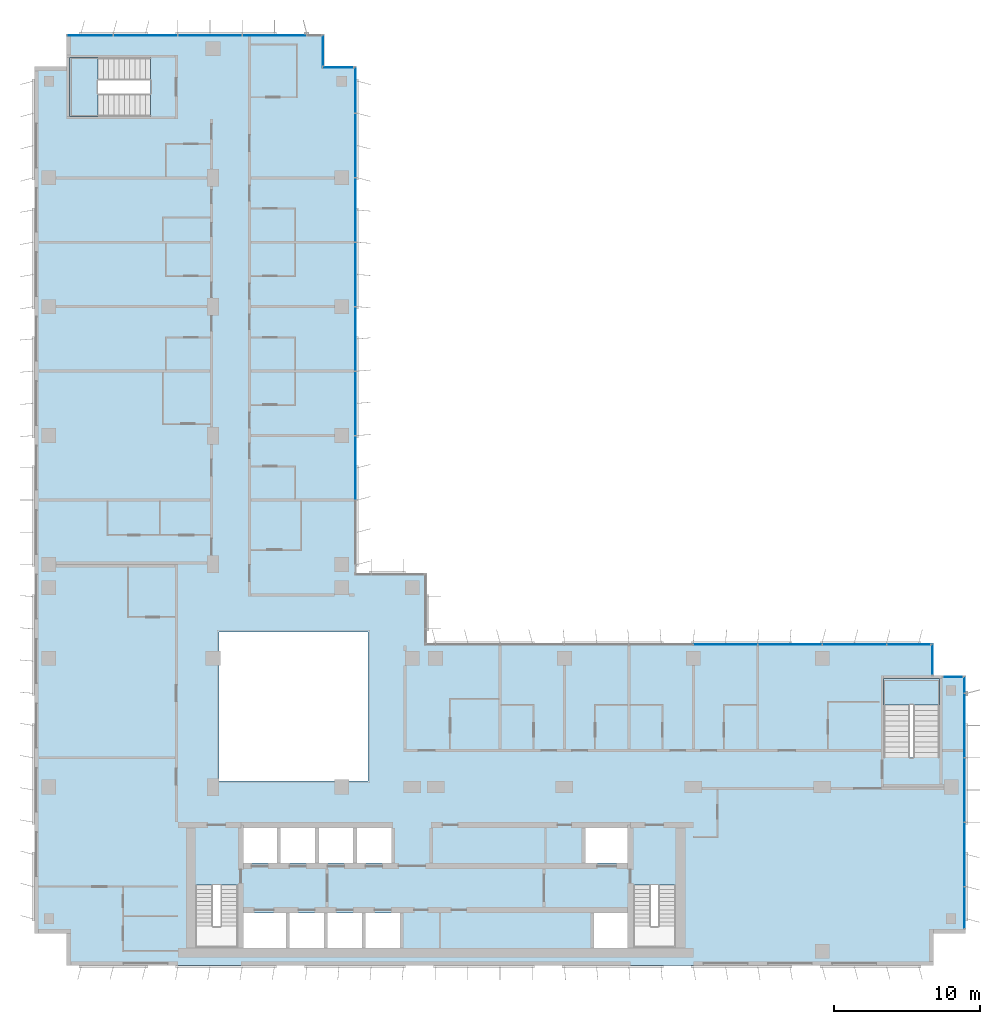
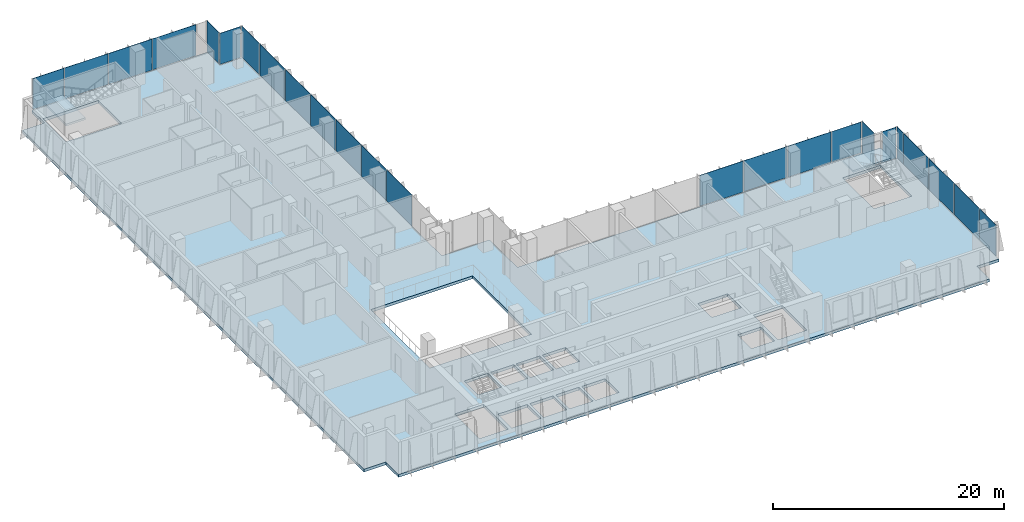
# One storey, part 11 of 21: 24 plates, 3 slabs, 10 elements without a shape of their own.
"""IFC4 building model written with IfcOpenShell, lengths in metres."""

from ifc_helpers import new_model, si_unit, direction, frame, origin, origin_2d, place, context, subcontext, project, spatial, polyline, rectangle, outline, extrude, source, transform, mapped, material, layer, layer_set, type_object, element, aggregate, save


model = new_model("IFC4")

# Units and contexts
model_context = context("Model", 3, precision=1e-05, world=origin(), true_north=direction((0.0, 1.0)))
body_context = subcontext(model_context, "Body", "Model", "MODEL_VIEW")
ifc_project = project(units=[si_unit("LENGTHUNIT", "METRE"), si_unit("AREAUNIT", "SQUARE_METRE"), si_unit("VOLUMEUNIT", "CUBIC_METRE"), si_unit("PLANEANGLEUNIT", "RADIAN"), si_unit("MASSUNIT", "GRAM", prefix="KILO")], contexts=[model_context])

# Site, building, storey
site_placement = place(None, origin())
site = spatial("IfcSite", under=ifc_project, at=site_placement, CompositionType="ELEMENT")
building_placement = place(site_placement, origin())
building = spatial("IfcBuilding", under=site, at=building_placement, Name="Kemantara Hotel Tower", CompositionType="ELEMENT")
storey_placement = place(building_placement, frame((0.0, 0.0, 182.699951171875)))
storey = spatial("IfcBuildingStorey", under=building, at=storey_placement, Name="L45", CompositionType="ELEMENT", Elevation=182.699951171875)

# Slab
ifc_material_1 = material(Name="Concrete fc 40 MPa", Category="concrete")
ifc_layer_1 = layer(ifc_material_1, 0.300048828125)
ifc_layer_set_1 = layer_set([ifc_layer_1], Name="Concrete fc 40 MPa")
slab_type_1 = type_object("IfcSlabType", Name="POST-TENSIONED FLAT PLATE 300", PredefinedType="FLOOR", material=ifc_layer_set_1)
slab_1_placement = place(storey_placement, frame((0.0, 0.0, -0.300048828125)))
element("IfcSlab", 1, at=slab_1_placement, inside=storey, type_object=slab_type_1, Name="FLOOR SLAB L45", PredefinedType="FLOOR", context=body_context, shape_type="SweptSolid", body=[
    extrude(outline(polyline([(22.0, 26.800048828125), (22.0, 61.39990234375), (19.800048828125, 61.39990234375), (19.800048828125, 63.60009765625), (2.199951171875, 63.60009765625), (2.199951171875, 61.39990234375), (0.0, 61.39990234375), (0.0, 2.199951171875), (2.199951171875, 2.199951171875), (2.199951171875, 0.0), (61.39990234375, 0.0), (61.39990234375, 2.199951171875), (63.60009765625, 2.199951171875), (63.60009765625, 19.800048828125), (61.39990234375, 19.800048828125), (61.39990234375, 22.0), (26.800048828125, 22.0), (26.800048828125, 26.800048828125), (22.0, 26.800048828125)]), holes=[polyline([(17.175048828125, 3.60009765625), (17.175048828125, 1.199951171875), (14.22509765625, 1.199951171875), (14.22509765625, 3.60009765625), (17.175048828125, 3.60009765625)]), polyline([(19.77490234375, 1.199951171875), (17.425048828125, 1.199951171875), (17.425048828125, 3.60009765625), (19.77490234375, 3.60009765625), (19.77490234375, 1.199951171875)]), polyline([(11.0, 1.199951171875), (11.0, 5.49951171875), (13.89990234375, 5.49951171875), (13.89990234375, 1.199951171875), (11.0, 1.199951171875)]), polyline([(16.574951171875, 7.0), (14.22509765625, 7.0), (14.22509765625, 9.39990234375), (16.574951171875, 9.39990234375), (16.574951171875, 7.0)]), polyline([(19.175048828125, 7.0), (16.824951171875, 7.0), (16.824951171875, 9.39990234375), (19.175048828125, 9.39990234375), (19.175048828125, 7.0)]), polyline([(21.77490234375, 7.0), (19.425048828125, 7.0), (19.425048828125, 9.39990234375), (21.77490234375, 9.39990234375), (21.77490234375, 7.0)]), polyline([(22.800048828125, 12.60009765625), (12.60009765625, 12.60009765625), (12.60009765625, 22.800048828125), (22.800048828125, 22.800048828125), (22.800048828125, 12.60009765625)]), polyline([(2.39990234375, 62.0), (7.949462890625, 62.0), (7.949462890625, 58.0), (2.39990234375, 58.0), (2.39990234375, 62.0)]), polyline([(22.375, 1.199951171875), (20.02490234375, 1.199951171875), (20.02490234375, 3.60009765625), (22.375, 3.60009765625), (22.375, 1.199951171875)]), polyline([(24.97509765625, 1.199951171875), (22.625, 1.199951171875), (22.625, 3.60009765625), (24.97509765625, 3.60009765625), (24.97509765625, 1.199951171875)]), polyline([(40.574951171875, 1.199951171875), (38.22509765625, 1.199951171875), (38.22509765625, 3.60009765625), (40.574951171875, 3.60009765625), (40.574951171875, 1.199951171875)]), polyline([(40.89990234375, 1.199951171875), (40.89990234375, 5.49951171875), (43.800048828125, 5.49951171875), (43.800048828125, 1.199951171875), (40.89990234375, 1.199951171875)]), polyline([(24.375, 7.0), (22.02490234375, 7.0), (22.02490234375, 9.39990234375), (24.375, 9.39990234375), (24.375, 7.0)]), polyline([(40.574951171875, 7.0), (37.625, 7.0), (37.625, 9.39990234375), (40.574951171875, 9.39990234375), (40.574951171875, 7.0)]), polyline([(61.800048828125, 19.60009765625), (61.800048828125, 14.20068359375), (58.0, 14.20068359375), (58.0, 19.60009765625), (61.800048828125, 19.60009765625)])]), origin(), (0.0, 0.0, 1.0), 0.300048828125),
])

# Stair, slab
stair_type_1 = type_object("IfcStairType", Name="Stair 1800 wide 22 risers of 168 x 360 mm", PredefinedType="HALF_TURN_STAIR", material=ifc_material_1)
stair_1_placement = place(storey_placement, origin())
stair_1 = element("IfcStair", 2, at=stair_1_placement, inside=storey, type_object=stair_type_1, Name="L45 Exit stair ST3", PredefinedType="HALF_TURN_STAIR")
ifc_layer_2 = layer(ifc_material_1, 0.199951171875)
ifc_layer_set_2 = layer_set([ifc_layer_2], Name="Concrete fc 40 MPa")
slab_type_2 = type_object("IfcSlabType", Name="Stair landing 200 mm", PredefinedType="LANDING", material=ifc_layer_set_2)
slab_2_placement = place(storey_placement, frame((0.0, 0.0, 1.650146484375)))
slab_2 = element("IfcSlab", 3, at=slab_2_placement, type_object=slab_type_2, Name="ST3 landing 1", PredefinedType="LANDING", context=body_context, shape_type="SweptSolid", body=[
    extrude(outline(polyline([(61.800048828125, 17.800048828125), (61.800048828125, 19.60009765625), (58.0, 19.60009765625), (58.0, 17.800048828125), (61.800048828125, 17.800048828125)])), origin(), (0.0, 0.0, 1.0), 0.199951171875),
])
aggregate(stair_1, [slab_2])

stair_type_2 = type_object("IfcStairType", Name="Stair 1550 wide 22 risers of 168 x 360 mm", PredefinedType="HALF_TURN_STAIR", material=ifc_material_1)
stair_2_placement = place(storey_placement, origin())
stair_2 = element("IfcStair", 4, at=stair_2_placement, inside=storey, type_object=stair_type_2, Name="L45 Exit stair ST4", PredefinedType="HALF_TURN_STAIR")
slab_3_placement = place(storey_placement, frame((0.0, 0.0, 1.650146484375)))
slab_3 = element("IfcSlab", 5, at=slab_3_placement, type_object=slab_type_2, Name="ST4 landing 1", PredefinedType="LANDING", context=body_context, shape_type="SweptSolid", body=[
    extrude(outline(polyline([(4.35009765625, 62.0), (2.39990234375, 62.0), (2.39990234375, 58.0), (4.35009765625, 58.0), (4.35009765625, 62.0)])), origin(), (0.0, 0.0, 1.0), 0.199951171875),
])
aggregate(stair_2, [slab_3])

# Curtain wall, plate
ifc_material_2 = material(Name="Low-E tinted double insulated glass 36 mm", Category="glass")
curtain_wall_type = type_object("IfcCurtainWallType", Name="TOWER CURTAIN WALL, FRONT FACES", PredefinedType="USERDEFINED", material=ifc_material_2)
curtain_wall_1_placement = place(storey_placement, origin())
curtain_wall_1 = element("IfcCurtainWall", 6, at=curtain_wall_1_placement, inside=storey, type_object=curtain_wall_type, Name="CW4 L45 T3-R11-1", ObjectType="TOWER CURTAIN WALL, FRONT FACES", PredefinedType="USERDEFINED")
ifc_layer_3 = layer(ifc_material_2, 0.035888671875)
ifc_layer_set_3 = layer_set([ifc_layer_3], Name="Low-E tinted double insulated glass 36 mm")
plate_type = type_object("IfcPlateType", Name="TOWER CURTAIN WALL, FRONT FACES PANEL", PredefinedType="CURTAIN_PANEL", material=ifc_layer_set_3)
shared_shape_1 = source(origin(), body_context, "Body", "SweptSolid", [
    extrude(rectangle(XDim=2.81005859375, YDim=0.035888671875, at=origin_2d()), origin(), (0.0, 0.0, 1.0), 3.280029296875),
])
plate_1_placement = place(storey_placement, frame((63.52490234375, 3.965087890625, 0.1201171875), z_axis=(0.0, 0.0, 1.0), x_axis=(0.0, 1.0, 0.0)))
plate_1 = element("IfcPlate", 7, at=plate_1_placement, type_object=plate_type, Name="CW4 glass panel T3-R11-1.1", PredefinedType="CURTAIN_PANEL", context=body_context, shape_type="MappedRepresentation", body=[
    mapped(shared_shape_1, transform((0.0, 0.0, 0.0))),
])

# Curtain wall, plates
curtain_wall_2_placement = place(storey_placement, origin())
curtain_wall_2 = element("IfcCurtainWall", 8, at=curtain_wall_2_placement, inside=storey, type_object=curtain_wall_type, Name="CW4 L45 T3-R02-1", ObjectType="TOWER CURTAIN WALL, FRONT FACES", PredefinedType="USERDEFINED")
shared_shape_2 = source(origin(), body_context, "Body", "SweptSolid", [
    extrude(rectangle(XDim=4.340087890625, YDim=0.035888671875, at=origin_2d()), origin(), (0.0, 0.0, 1.0), 3.280029296875),
])
plate_2_placement = place(storey_placement, frame((16.39990234375, 63.52490234375, 0.1201171875), z_axis=(0.0, 0.0, 1.0), x_axis=(-1.0, 0.0, 0.0)))
plate_2 = element("IfcPlate", 9, at=plate_2_placement, type_object=plate_type, Name="CW4 glass panel T3-R02-1.2", PredefinedType="CURTAIN_PANEL", context=body_context, shape_type="MappedRepresentation", body=[
    mapped(shared_shape_2, transform((0.0, 0.0, 0.0))),
])
plate_3_placement = place(storey_placement, frame((12.0, 63.52490234375, 0.1201171875), z_axis=(0.0, 0.0, 1.0), x_axis=(-1.0, 0.0, 0.0)))
plate_3 = element("IfcPlate", 10, at=plate_3_placement, type_object=plate_type, Name="CW4 glass panel T3-R02-1.3", PredefinedType="CURTAIN_PANEL", context=body_context, shape_type="MappedRepresentation", body=[
    mapped(shared_shape_2, transform((0.0, 0.0, 0.0))),
])
plate_4_placement = place(storey_placement, frame((7.60009765625, 63.52490234375, 0.1201171875), z_axis=(0.0, 0.0, 1.0), x_axis=(-1.0, 0.0, 0.0)))
plate_4 = element("IfcPlate", 11, at=plate_4_placement, type_object=plate_type, Name="CW4 glass panel T3-R02-1.4", PredefinedType="CURTAIN_PANEL", context=body_context, shape_type="MappedRepresentation", body=[
    mapped(shared_shape_2, transform((0.0, 0.0, 0.0))),
])

# Plate
plate_5_placement = place(storey_placement, frame((63.52490234375, 7.60009765625, 0.1201171875), z_axis=(0.0, 0.0, 1.0), x_axis=(0.0, 1.0, 0.0)))
plate_5 = element("IfcPlate", 12, at=plate_5_placement, type_object=plate_type, Name="CW4 glass panel T3-R11-1.2", PredefinedType="CURTAIN_PANEL", context=body_context, shape_type="MappedRepresentation", body=[
    mapped(shared_shape_2, transform((0.0, 0.0, 0.0))),
])

plate_6_placement = place(storey_placement, frame((63.52490234375, 12.0, 0.1201171875), z_axis=(0.0, 0.0, 1.0), x_axis=(0.0, 1.0, 0.0)))
plate_6 = element("IfcPlate", 13, at=plate_6_placement, type_object=plate_type, Name="CW4 glass panel T3-R11-1.3", PredefinedType="CURTAIN_PANEL", context=body_context, shape_type="MappedRepresentation", body=[
    mapped(shared_shape_2, transform((0.0, 0.0, 0.0))),
])

plate_7_placement = place(storey_placement, frame((63.52490234375, 16.39990234375, 0.1201171875), z_axis=(0.0, 0.0, 1.0), x_axis=(0.0, 1.0, 0.0)))
plate_7 = element("IfcPlate", 14, at=plate_7_placement, type_object=plate_type, Name="CW4 glass panel T3-R11-1.4", PredefinedType="CURTAIN_PANEL", context=body_context, shape_type="MappedRepresentation", body=[
    mapped(shared_shape_2, transform((0.0, 0.0, 0.0))),
])

# Curtain wall, plates
curtain_wall_3_placement = place(storey_placement, origin())
curtain_wall_3 = element("IfcCurtainWall", 15, at=curtain_wall_3_placement, inside=storey, type_object=curtain_wall_type, Name="CW4 L45 T3-R14-1", ObjectType="TOWER CURTAIN WALL, FRONT FACES", PredefinedType="USERDEFINED")
plate_8_placement = place(storey_placement, frame((56.0, 21.925048828125, 0.1201171875), z_axis=(0.0, 0.0, 1.0), x_axis=(-1.0, 0.0, 0.0)))
plate_8 = element("IfcPlate", 16, at=plate_8_placement, type_object=plate_type, Name="CW4 glass panel T3-R14-1.2", PredefinedType="CURTAIN_PANEL", context=body_context, shape_type="MappedRepresentation", body=[
    mapped(shared_shape_2, transform((0.0, 0.0, 0.0))),
])
plate_9_placement = place(storey_placement, frame((51.60009765625, 21.925048828125, 0.1201171875), z_axis=(0.0, 0.0, 1.0), x_axis=(-1.0, 0.0, 0.0)))
plate_9 = element("IfcPlate", 17, at=plate_9_placement, type_object=plate_type, Name="CW4 glass panel T3-R14-1.3", PredefinedType="CURTAIN_PANEL", context=body_context, shape_type="MappedRepresentation", body=[
    mapped(shared_shape_2, transform((0.0, 0.0, 0.0))),
])
plate_10_placement = place(storey_placement, frame((47.199951171875, 21.925048828125, 0.1201171875), z_axis=(0.0, 0.0, 1.0), x_axis=(-1.0, 0.0, 0.0)))
plate_10 = element("IfcPlate", 18, at=plate_10_placement, type_object=plate_type, Name="CW4 glass panel T3-R14-1.4", PredefinedType="CURTAIN_PANEL", context=body_context, shape_type="MappedRepresentation", body=[
    mapped(shared_shape_2, transform((0.0, 0.0, 0.0))),
])

curtain_wall_4_placement = place(storey_placement, origin())
curtain_wall_4 = element("IfcCurtainWall", 19, at=curtain_wall_4_placement, inside=storey, type_object=curtain_wall_type, Name="CW4 L45 T3-R17-1", ObjectType="TOWER CURTAIN WALL, FRONT FACES", PredefinedType="USERDEFINED")
plate_11_placement = place(storey_placement, frame((21.925048828125, 34.0, 0.1201171875), z_axis=(0.0, 0.0, 1.0), x_axis=(0.0, 1.0, 0.0)))
plate_11 = element("IfcPlate", 20, at=plate_11_placement, type_object=plate_type, Name="CW4 glass panel T3-R17-1.3", PredefinedType="CURTAIN_PANEL", context=body_context, shape_type="MappedRepresentation", body=[
    mapped(shared_shape_2, transform((0.0, 0.0, 0.0))),
])
plate_12_placement = place(storey_placement, frame((21.925048828125, 38.39990234375, 0.1201171875), z_axis=(0.0, 0.0, 1.0), x_axis=(0.0, 1.0, 0.0)))
plate_12 = element("IfcPlate", 21, at=plate_12_placement, type_object=plate_type, Name="CW4 glass panel T3-R17-1.4", PredefinedType="CURTAIN_PANEL", context=body_context, shape_type="MappedRepresentation", body=[
    mapped(shared_shape_2, transform((0.0, 0.0, 0.0))),
])
plate_13_placement = place(storey_placement, frame((21.925048828125, 42.800048828125, 0.1201171875), z_axis=(0.0, 0.0, 1.0), x_axis=(0.0, 1.0, 0.0)))
plate_13 = element("IfcPlate", 22, at=plate_13_placement, type_object=plate_type, Name="CW4 glass panel T3-R17-1.5", PredefinedType="CURTAIN_PANEL", context=body_context, shape_type="MappedRepresentation", body=[
    mapped(shared_shape_2, transform((0.0, 0.0, 0.0))),
])
plate_14_placement = place(storey_placement, frame((21.925048828125, 47.199951171875, 0.1201171875), z_axis=(0.0, 0.0, 1.0), x_axis=(0.0, 1.0, 0.0)))
plate_14 = element("IfcPlate", 23, at=plate_14_placement, type_object=plate_type, Name="CW4 glass panel T3-R17-1.6", PredefinedType="CURTAIN_PANEL", context=body_context, shape_type="MappedRepresentation", body=[
    mapped(shared_shape_2, transform((0.0, 0.0, 0.0))),
])
plate_15_placement = place(storey_placement, frame((21.925048828125, 51.60009765625, 0.1201171875), z_axis=(0.0, 0.0, 1.0), x_axis=(0.0, 1.0, 0.0)))
plate_15 = element("IfcPlate", 24, at=plate_15_placement, type_object=plate_type, Name="CW4 glass panel T3-R17-1.7", PredefinedType="CURTAIN_PANEL", context=body_context, shape_type="MappedRepresentation", body=[
    mapped(shared_shape_2, transform((0.0, 0.0, 0.0))),
])
plate_16_placement = place(storey_placement, frame((21.925048828125, 56.0, 0.1201171875), z_axis=(0.0, 0.0, 1.0), x_axis=(0.0, 1.0, 0.0)))
plate_16 = element("IfcPlate", 25, at=plate_16_placement, type_object=plate_type, Name="CW4 glass panel T3-R17-1.8", PredefinedType="CURTAIN_PANEL", context=body_context, shape_type="MappedRepresentation", body=[
    mapped(shared_shape_2, transform((0.0, 0.0, 0.0))),
])

# Plate
shared_shape_3 = source(origin(), body_context, "Body", "SweptSolid", [
    extrude(rectangle(XDim=3.110107421875, YDim=0.035888671875, at=origin_2d()), origin(), (0.0, 0.0, 1.0), 3.280029296875),
])
plate_17_placement = place(storey_placement, frame((3.81494140625, 63.52490234375, 0.1201171875), z_axis=(0.0, 0.0, 1.0), x_axis=(-1.0, 0.0, 0.0)))
plate_17 = element("IfcPlate", 26, at=plate_17_placement, type_object=plate_type, Name="CW4 glass panel T3-R02-1.5", PredefinedType="CURTAIN_PANEL", context=body_context, shape_type="MappedRepresentation", body=[
    mapped(shared_shape_3, transform((0.0, 0.0, 0.0))),
])

aggregate(curtain_wall_2, [plate_2, plate_3, plate_4, plate_17])

plate_18_placement = place(storey_placement, frame((21.925048828125, 59.784912109375, 0.1201171875), z_axis=(0.0, 0.0, 1.0), x_axis=(0.0, 1.0, 0.0)))
plate_18 = element("IfcPlate", 27, at=plate_18_placement, type_object=plate_type, Name="CW4 glass panel T3-R17-1.9", PredefinedType="CURTAIN_PANEL", context=body_context, shape_type="MappedRepresentation", body=[
    mapped(shared_shape_3, transform((0.0, 0.0, 0.0))),
])

aggregate(curtain_wall_4, [plate_11, plate_12, plate_13, plate_14, plate_15, plate_16, plate_18])

# Curtain wall, plate
curtain_wall_5_placement = place(storey_placement, origin())
curtain_wall_5 = element("IfcCurtainWall", 28, at=curtain_wall_5_placement, inside=storey, type_object=curtain_wall_type, Name="CW4 L45 T3-R00-1", ObjectType="TOWER CURTAIN WALL, FRONT FACES", PredefinedType="USERDEFINED")
shared_shape_4 = source(origin(), body_context, "Body", "SweptSolid", [
    extrude(rectangle(XDim=2.080078125, YDim=0.035888671875, at=origin_2d()), origin(), (0.0, 0.0, 1.0), 3.280029296875),
])
plate_19_placement = place(storey_placement, frame((20.75, 61.324951171875, 0.1201171875), z_axis=(0.0, 0.0, 1.0), x_axis=(-1.0, 0.0, 0.0)))
plate_19 = element("IfcPlate", 29, at=plate_19_placement, type_object=plate_type, Name="CW4 glass panel T3-R00-1.1", PredefinedType="CURTAIN_PANEL", context=body_context, shape_type="MappedRepresentation", body=[
    mapped(shared_shape_4, transform((0.0, 0.0, 0.0))),
])
aggregate(curtain_wall_5, [plate_19])

curtain_wall_6_placement = place(storey_placement, origin())
curtain_wall_6 = element("IfcCurtainWall", 30, at=curtain_wall_6_placement, inside=storey, type_object=curtain_wall_type, Name="CW4 L45 T3-R01-1", ObjectType="TOWER CURTAIN WALL, FRONT FACES", PredefinedType="USERDEFINED")
plate_20_placement = place(storey_placement, frame((19.72509765625, 62.5, 0.1201171875), z_axis=(0.0, 0.0, 1.0), x_axis=(0.0, 1.0, 0.0)))
plate_20 = element("IfcPlate", 31, at=plate_20_placement, type_object=plate_type, Name="CW4 glass panel T3-R01-1.1", PredefinedType="CURTAIN_PANEL", context=body_context, shape_type="MappedRepresentation", body=[
    mapped(shared_shape_4, transform((0.0, 0.0, 0.0))),
])
aggregate(curtain_wall_6, [plate_20])

curtain_wall_7_placement = place(storey_placement, origin())
curtain_wall_7 = element("IfcCurtainWall", 32, at=curtain_wall_7_placement, inside=storey, type_object=curtain_wall_type, Name="CW4 L45 T3-R13-1", ObjectType="TOWER CURTAIN WALL, FRONT FACES", PredefinedType="USERDEFINED")
plate_21_placement = place(storey_placement, frame((61.324951171875, 20.89990234375, 0.1201171875), z_axis=(0.0, 0.0, 1.0), x_axis=(0.0, 1.0, 0.0)))
plate_21 = element("IfcPlate", 33, at=plate_21_placement, type_object=plate_type, Name="CW4 glass panel T3-R13-1.1", PredefinedType="CURTAIN_PANEL", context=body_context, shape_type="MappedRepresentation", body=[
    mapped(shared_shape_4, transform((0.0, 0.0, 0.0))),
])
aggregate(curtain_wall_7, [plate_21])

# Plate
shared_shape_5 = source(origin(), body_context, "Body", "SweptSolid", [
    extrude(rectangle(XDim=2.9599609375, YDim=0.035888671875, at=origin_2d()), origin(), (0.0, 0.0, 1.0), 3.280029296875),
])
plate_22_placement = place(storey_placement, frame((59.7099609375, 21.925048828125, 0.1201171875), z_axis=(0.0, 0.0, 1.0), x_axis=(-1.0, 0.0, 0.0)))
plate_22 = element("IfcPlate", 34, at=plate_22_placement, type_object=plate_type, Name="CW4 glass panel T3-R14-1.1", PredefinedType="CURTAIN_PANEL", context=body_context, shape_type="MappedRepresentation", body=[
    mapped(shared_shape_5, transform((0.0, 0.0, 0.0))),
])

aggregate(curtain_wall_3, [plate_22, plate_8, plate_9, plate_10])

shared_shape_6 = source(origin(), body_context, "Body", "SweptSolid", [
    extrude(rectangle(XDim=1.110107421875, YDim=0.035888671875, at=origin_2d()), origin(), (0.0, 0.0, 1.0), 3.280029296875),
])
plate_23_placement = place(storey_placement, frame((63.52490234375, 19.18505859375, 0.1201171875), z_axis=(0.0, 0.0, 1.0), x_axis=(0.0, 1.0, 0.0)))
plate_23 = element("IfcPlate", 35, at=plate_23_placement, type_object=plate_type, Name="CW4 glass panel T3-R11-1.5", PredefinedType="CURTAIN_PANEL", context=body_context, shape_type="MappedRepresentation", body=[
    mapped(shared_shape_6, transform((0.0, 0.0, 0.0))),
])

aggregate(curtain_wall_1, [plate_1, plate_5, plate_6, plate_7, plate_23])

# Curtain wall, plate
curtain_wall_8_placement = place(storey_placement, origin())
curtain_wall_8 = element("IfcCurtainWall", 36, at=curtain_wall_8_placement, inside=storey, type_object=curtain_wall_type, Name="CW4 L45 T3-R12-1", ObjectType="TOWER CURTAIN WALL, FRONT FACES", PredefinedType="USERDEFINED")
shared_shape_7 = source(origin(), body_context, "Body", "SweptSolid", [
    extrude(rectangle(XDim=1.330078125, YDim=0.035888671875, at=origin_2d()), origin(), (0.0, 0.0, 1.0), 3.280029296875),
])
plate_24_placement = place(storey_placement, frame((62.72509765625, 19.72509765625, 0.1201171875), z_axis=(0.0, 0.0, 1.0), x_axis=(-1.0, 0.0, 0.0)))
plate_24 = element("IfcPlate", 37, at=plate_24_placement, type_object=plate_type, Name="CW4 glass panel T3-R12-1.1", PredefinedType="CURTAIN_PANEL", context=body_context, shape_type="MappedRepresentation", body=[
    mapped(shared_shape_7, transform((0.0, 0.0, 0.0))),
])
aggregate(curtain_wall_8, [plate_24])

save(model, "model.ifc")
